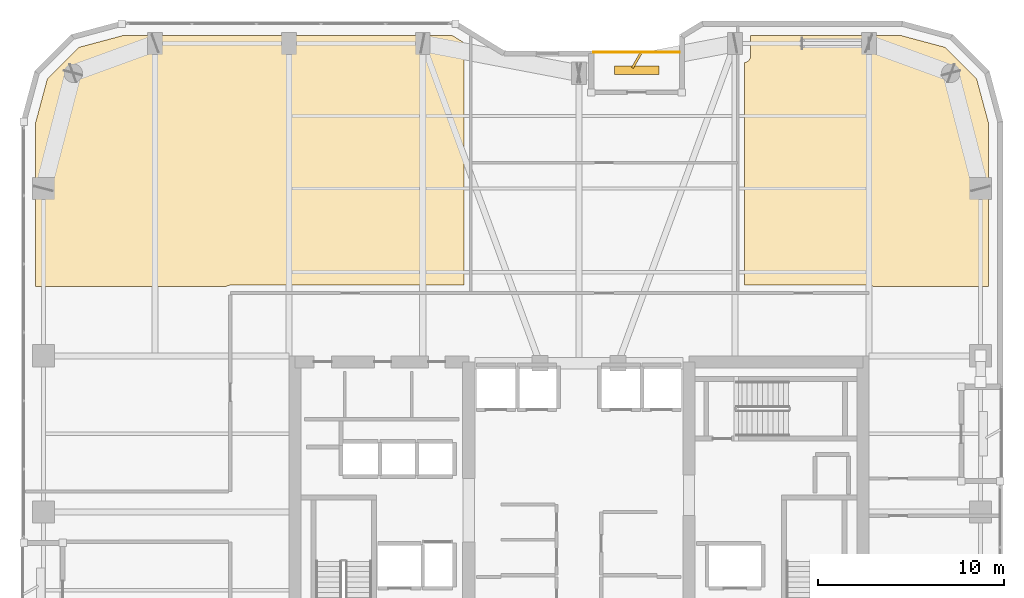
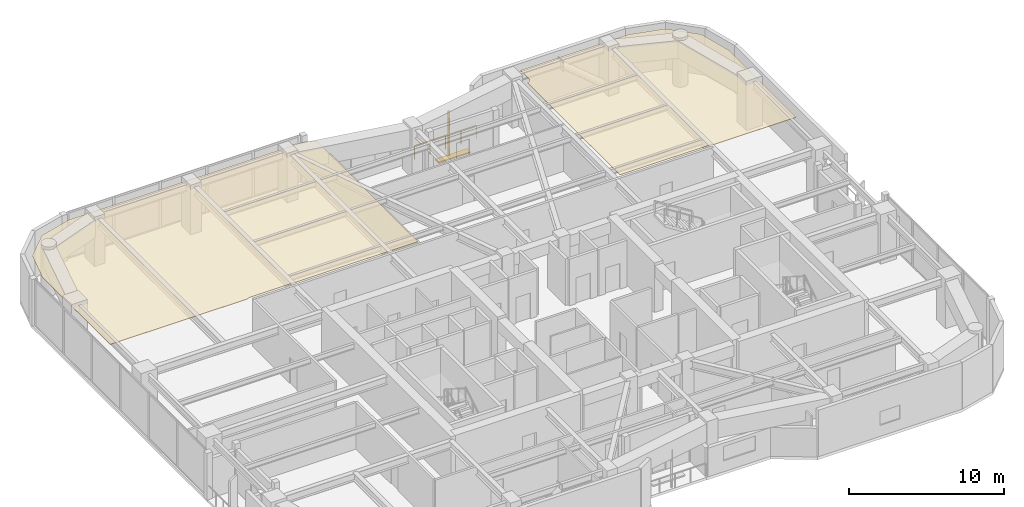
# One storey, part 30 of 30: 2 coverings, 2 shading devices, 1 railing.
"""IFC4 building model written with IfcOpenShell, lengths in metres."""

from ifc_helpers import new_model, si_unit, direction, frame, origin, origin_2d, place, context, subcontext, project, spatial, polyline, rectangle, outline, extrude, material, layer, layer_set, type_object, element, save


model = new_model("IFC4")

# Units and contexts
model_context = context("Model", 3, precision=1e-05, world=origin(), true_north=direction((0.0, 1.0)))
body_context = subcontext(model_context, "Body", "Model", "MODEL_VIEW")
ifc_project = project(units=[si_unit("LENGTHUNIT", "METRE"), si_unit("AREAUNIT", "SQUARE_METRE"), si_unit("VOLUMEUNIT", "CUBIC_METRE"), si_unit("PLANEANGLEUNIT", "RADIAN"), si_unit("MASSUNIT", "GRAM", prefix="KILO")], contexts=[model_context])

# Site, building, storey
site_placement = place(None, origin())
site = spatial("IfcSite", under=ifc_project, at=site_placement, CompositionType="ELEMENT")
building_placement = place(site_placement, origin())
building = spatial("IfcBuilding", under=site, at=building_placement, Name="Kiyonajd Concourse Tower", CompositionType="ELEMENT")
storey_placement = place(building_placement, frame((0.0, 0.0, 198.0)))
storey = spatial("IfcBuildingStorey", under=building, at=storey_placement, Name="L50", CompositionType="ELEMENT", Elevation=198.0)

# Coverings
ifc_material_1 = material(Name="Natural Oak Acoustic Timber Veneer", Category="wood")
ifc_layer = layer(ifc_material_1, 0.0400390625)
ifc_layer_set = layer_set([ifc_layer], Name="Natural Oak Acoustic Timber Veneer")
covering_type = type_object("IfcCoveringType", Name="CV-CLG-ACST", PredefinedType="CEILING", material=ifc_layer_set)
covering_1_placement = place(storey_placement, frame((0.0, 0.0, 3.5)))
element("IfcCovering", 1, at=covering_1_placement, inside=storey, type_object=covering_type, Name="L50-45 Room Acoustic Ceiling", PredefinedType="CEILING", context=body_context, shape_type="SweptSolid", body=[
    extrude(outline(polyline([(21.097900390625, 60.986083984375), (23.5009765625, 61.6298828125), (41.181884765625, 61.6298828125), (41.830078125, 61.23095703125), (41.830078125, 48.199951171875), (29.25, 48.199951171875), (29.1201171875, 48.179931640625), (29.056884765625, 48.154052734375), (29.001953125, 48.1201171875), (18.77001953125, 48.1201171875), (18.77001953125, 56.89892578125), (19.4140625, 59.302001953125), (21.097900390625, 60.986083984375)])), origin(), (0.0, 0.0, 1.0), 0.0400390625),
])
covering_2_placement = place(storey_placement, frame((0.0, 0.0, 3.5)))
element("IfcCovering", 2, at=covering_2_placement, inside=storey, type_object=covering_type, Name="L50-48 Room Acoustic Ceiling", PredefinedType="CEILING", context=body_context, shape_type="SweptSolid", body=[
    extrude(outline(polyline([(57.22998046875, 61.6298828125), (65.299072265625, 61.6298828125), (67.701904296875, 60.986083984375), (69.385986328125, 59.302001953125), (70.030029296875, 56.89892578125), (70.030029296875, 48.1201171875), (63.847900390625, 48.1201171875), (63.79296875, 48.154052734375), (63.72998046875, 48.179931640625), (63.60009765625, 48.199951171875), (56.909912109375, 48.199951171875), (56.909912109375, 60.1708984375), (57.013916015625, 60.197021484375), (57.10205078125, 60.2490234375), (57.15087890625, 60.298095703125), (57.18896484375, 60.35498046875), (57.222900390625, 60.451904296875), (57.22998046875, 60.52001953125), (57.22998046875, 61.6298828125)])), origin(), (0.0, 0.0, 1.0), 0.0400390625),
])

# Railing
ifc_material_2 = material(Name="Thermally Broken Anodised Aluminium", Category="aluminium")
railing_type = type_object("IfcRailingType", Name="RL-GRD-LOG", PredefinedType="GUARDRAIL", material=ifc_material_2)
railing_placement = place(storey_placement, frame((53.39990234375, 60.719970703125, 0.0)))
element("IfcRailing", 3, at=railing_placement, inside=storey, type_object=railing_type, Name="L50 Engawa Loggia Perimeter Guard LOG-N", PredefinedType="GUARDRAIL", context=body_context, shape_type="SweptSolid", body=[
    extrude(rectangle(XDim=0.048095703125, YDim=0.048095703125, at=origin_2d()), frame((0.0, 0.0, 1.076171875), z_axis=(-1.0, 0.0, 0.0), x_axis=(0.0, -1.0, 0.0)), (0.0, 0.0, 1.0), 4.599853515625),
    extrude(rectangle(XDim=0.0419921875, YDim=0.0419921875, at=origin_2d()), origin(), (0.0, 0.0, 1.0), 1.052001953125),
    extrude(rectangle(XDim=0.0419921875, YDim=0.0419921875, at=origin_2d()), frame((-1.14990234375, 0.0, 0.0)), (0.0, 0.0, 1.0), 1.052001953125),
    extrude(rectangle(XDim=0.0419921875, YDim=0.0419921875, at=origin_2d()), frame((-2.2998046875, 0.0, 0.0)), (0.0, 0.0, 1.0), 1.052001953125),
    extrude(rectangle(XDim=0.0419921875, YDim=0.0419921875, at=origin_2d()), frame((-3.449951171875, 0.0, 0.0)), (0.0, 0.0, 1.0), 1.052001953125),
    extrude(rectangle(XDim=0.0419921875, YDim=0.0419921875, at=origin_2d()), frame((-4.599853515625, 0.0, 0.0)), (0.0, 0.0, 1.0), 1.052001953125),
])

# Shading devices
ifc_material_3 = material(Name="Precast concrete C50/60", Category="concrete")
shading_device_type_1 = type_object("IfcShadingDeviceType", Name="SH-FIN-900", PredefinedType="USERDEFINED", material=ifc_material_3)
shading_device_1_placement = place(storey_placement, frame((51.10009765625, 60.27001953125, 0.0), z_axis=(0.0, 0.0, 1.0), x_axis=(0.5, 0.866025403784, 0.0)))
element("IfcShadingDevice", 4, at=shading_device_1_placement, inside=storey, type_object=shading_device_type_1, Name="L50 Angled Koshi Solar Fin LOG-N", ObjectType="FIN", PredefinedType="USERDEFINED", context=body_context, shape_type="SweptSolid", body=[
    extrude(rectangle(XDim=0.89990234375, YDim=0.1201171875, at=origin_2d()), origin(), (0.0, 0.0, 1.0), 3.0),
])
shading_device_type_2 = type_object("IfcShadingDeviceType", Name="SH-LVR-600", PredefinedType="JALOUSIE", material=ifc_material_2)
shading_device_2_placement = place(storey_placement, frame((51.10009765625, 59.75, 0.0), z_axis=(0.0, 0.0, 1.0), x_axis=(1.0, 0.0, 0.0)))
element("IfcShadingDevice", 5, at=shading_device_2_placement, inside=storey, type_object=shading_device_type_2, Name="L50 Loggia Threshold Louver LOG-N", PredefinedType="JALOUSIE", context=body_context, shape_type="SweptSolid", body=[
    extrude(rectangle(XDim=2.39990234375, YDim=0.449951171875, at=origin_2d()), origin(), (0.0, 0.0, 1.0), 0.10009765625),
])

save(model, "model.ifc")
